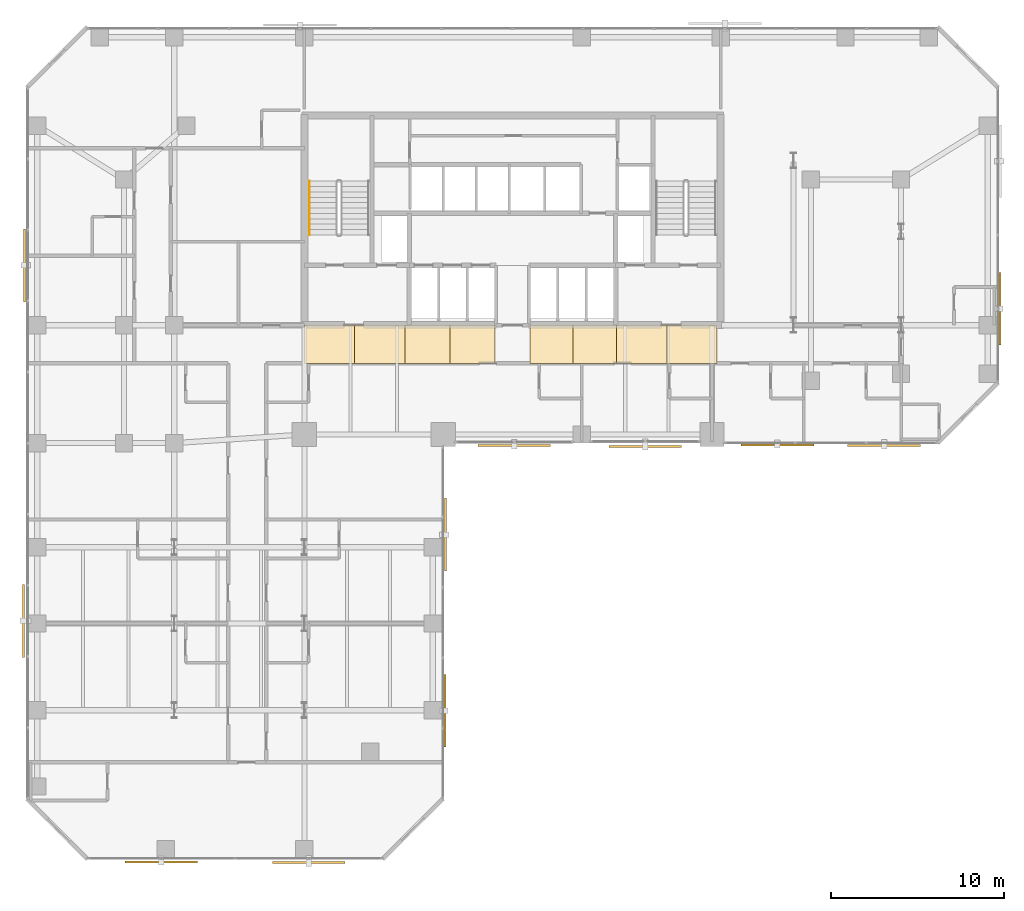
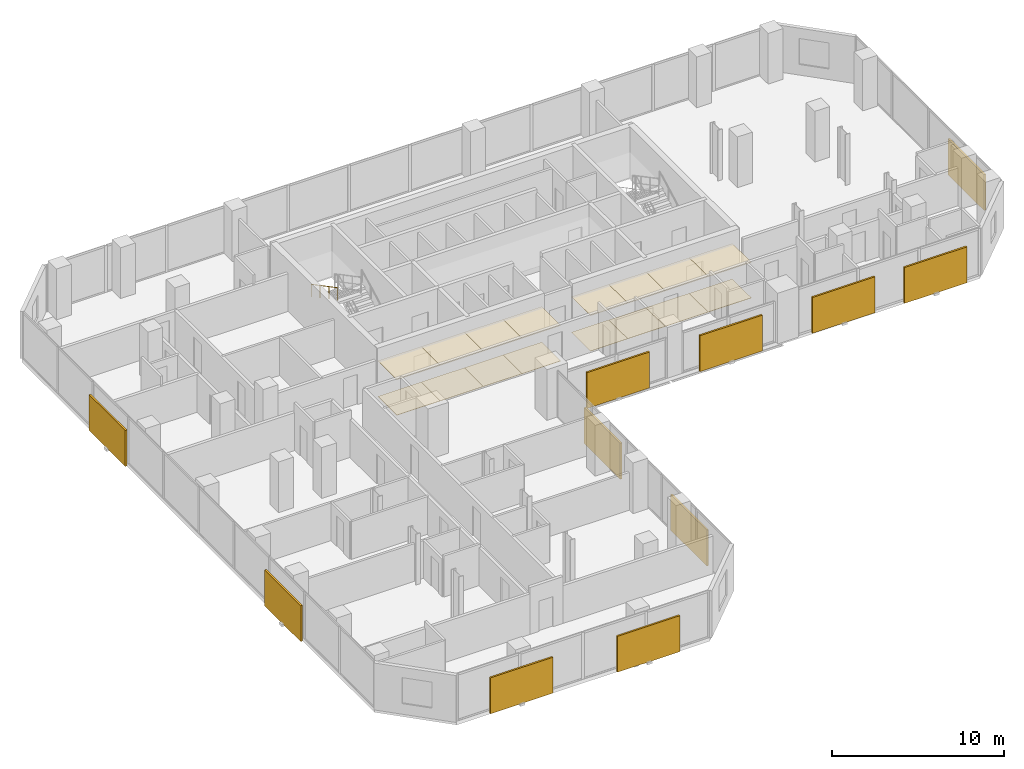
# One storey, part 31 of 32: 16 coverings, 11 shading devices, 1 railing.
"""IFC4 building model written with IfcOpenShell, lengths in metres."""

from ifc_helpers import new_model, si_unit, direction, frame, origin, origin_2d, place, context, subcontext, project, spatial, polyline, rectangle, circle, outline, extrude, material, layer, layer_set, type_object, element, save


model = new_model("IFC4")

# Units and contexts
model_context = context("Model", 3, precision=1e-05, world=origin(), true_north=direction((0.0, 1.0)))
body_context = subcontext(model_context, "Body", "Model", "MODEL_VIEW")
ifc_project = project(units=[si_unit("LENGTHUNIT", "METRE"), si_unit("AREAUNIT", "SQUARE_METRE"), si_unit("VOLUMEUNIT", "CUBIC_METRE"), si_unit("PLANEANGLEUNIT", "RADIAN"), si_unit("MASSUNIT", "GRAM", prefix="KILO")], contexts=[model_context])

# Site, building, storey
site_placement = place(None, origin())
site = spatial("IfcSite", under=ifc_project, at=site_placement, CompositionType="ELEMENT")
building_placement = place(site_placement, origin())
building = spatial("IfcBuilding", under=site, at=building_placement, Name="Catumbela Crestline Tower", CompositionType="ELEMENT")
storey_placement = place(building_placement, frame((0.0, 0.0, 29.4)))
storey = spatial("IfcBuildingStorey", under=building, at=storey_placement, Name="L06", CompositionType="ELEMENT", Elevation=29.4)

# Coverings
ifc_material_1 = material(Name="Mineral-fibre acoustic ceiling")
ifc_layer_1 = layer(ifc_material_1, 0.03, Name="Mineral-fibre acoustic ceiling")
ifc_layer_set_1 = layer_set([ifc_layer_1], Name="Mineral-fibre acoustic ceiling")
covering_type_1 = type_object("IfcCoveringType", Name="CC-AC", PredefinedType="CEILING", material=ifc_layer_set_1)
covering_1_placement = place(storey_placement, frame((0.0, 0.0, 2.52)))
element("IfcCovering", 1, at=covering_1_placement, inside=storey, type_object=covering_type_1, Name="L06 Corridor Acoustic Ceiling Bay 1", PredefinedType="CEILING", context=body_context, shape_type="SweptSolid", body=[
    extrude(outline(polyline([(16.0, 28.6), (18.9, 28.6), (18.9, 30.8), (16.0, 30.8), (16.0, 28.6)])), origin(), (0.0, 0.0, 1.0), 0.03),
])
covering_2_placement = place(storey_placement, frame((0.0, 0.0, 2.52)))
element("IfcCovering", 2, at=covering_2_placement, inside=storey, type_object=covering_type_1, Name="L06 Corridor Acoustic Ceiling Bay 2", PredefinedType="CEILING", context=body_context, shape_type="SweptSolid", body=[
    extrude(outline(polyline([(18.9, 28.6), (21.8, 28.6), (21.8, 30.8), (18.9, 30.8), (18.9, 28.6)])), origin(), (0.0, 0.0, 1.0), 0.03),
])
covering_3_placement = place(storey_placement, frame((0.0, 0.0, 2.52)))
element("IfcCovering", 3, at=covering_3_placement, inside=storey, type_object=covering_type_1, Name="L06 Corridor Acoustic Ceiling Bay 3", PredefinedType="CEILING", context=body_context, shape_type="SweptSolid", body=[
    extrude(outline(polyline([(21.8, 28.6), (24.4, 28.6), (24.4, 30.8), (21.8, 30.8), (21.8, 28.6)])), origin(), (0.0, 0.0, 1.0), 0.03),
])
covering_4_placement = place(storey_placement, frame((0.0, 0.0, 2.52)))
element("IfcCovering", 4, at=covering_4_placement, inside=storey, type_object=covering_type_1, Name="L06 Corridor Acoustic Ceiling Bay 4", PredefinedType="CEILING", context=body_context, shape_type="SweptSolid", body=[
    extrude(outline(polyline([(24.4, 28.6), (27.0, 28.6), (27.0, 30.8), (24.4, 30.8), (24.4, 28.6)])), origin(), (0.0, 0.0, 1.0), 0.03),
])
covering_5_placement = place(storey_placement, frame((0.0, 0.0, 2.52)))
element("IfcCovering", 5, at=covering_5_placement, inside=storey, type_object=covering_type_1, Name="L06 Corridor Acoustic Ceiling Bay 5", PredefinedType="CEILING", context=body_context, shape_type="SweptSolid", body=[
    extrude(outline(polyline([(29.0, 28.6), (31.5, 28.6), (31.5, 30.8), (29.0, 30.8), (29.0, 28.6)])), origin(), (0.0, 0.0, 1.0), 0.03),
])
covering_6_placement = place(storey_placement, frame((0.0, 0.0, 2.52)))
element("IfcCovering", 6, at=covering_6_placement, inside=storey, type_object=covering_type_1, Name="L06 Corridor Acoustic Ceiling Bay 6", PredefinedType="CEILING", context=body_context, shape_type="SweptSolid", body=[
    extrude(outline(polyline([(31.5, 28.6), (34.0, 28.6), (34.0, 30.8), (31.5, 30.8), (31.5, 28.6)])), origin(), (0.0, 0.0, 1.0), 0.03),
])
covering_7_placement = place(storey_placement, frame((0.0, 0.0, 2.52)))
element("IfcCovering", 7, at=covering_7_placement, inside=storey, type_object=covering_type_1, Name="L06 Corridor Acoustic Ceiling Bay 7", PredefinedType="CEILING", context=body_context, shape_type="SweptSolid", body=[
    extrude(outline(polyline([(34.0, 28.6), (36.9, 28.6), (36.9, 30.8), (34.0, 30.8), (34.0, 28.6)])), origin(), (0.0, 0.0, 1.0), 0.03),
])
covering_8_placement = place(storey_placement, frame((0.0, 0.0, 2.52)))
element("IfcCovering", 8, at=covering_8_placement, inside=storey, type_object=covering_type_1, Name="L06 Corridor Acoustic Ceiling Bay 8", PredefinedType="CEILING", context=body_context, shape_type="SweptSolid", body=[
    extrude(outline(polyline([(36.9, 28.6), (39.8, 28.6), (39.8, 30.8), (36.9, 30.8), (36.9, 28.6)])), origin(), (0.0, 0.0, 1.0), 0.03),
])
ifc_material_2 = material(Name="Angolan grey-ochre granite", Category="masonry")
ifc_layer_2 = layer(ifc_material_2, 0.025, Name="Angolan grey-ochre granite")
ifc_layer_set_2 = layer_set([ifc_layer_2], Name="Angolan grey-ochre granite")
covering_type_2 = type_object("IfcCoveringType", Name="CF-GR", PredefinedType="FLOORING", material=ifc_layer_set_2)
covering_9_placement = place(storey_placement, origin())
element("IfcCovering", 9, at=covering_9_placement, inside=storey, type_object=covering_type_2, Name="L06 Corridor Granite Flooring Bay 1", PredefinedType="FLOORING", context=body_context, shape_type="SweptSolid", body=[
    extrude(outline(polyline([(16.0, 28.6), (18.9, 28.6), (18.9, 30.8), (16.0, 30.8), (16.0, 28.6)])), origin(), (0.0, 0.0, 1.0), 0.025),
])
covering_10_placement = place(storey_placement, origin())
element("IfcCovering", 10, at=covering_10_placement, inside=storey, type_object=covering_type_2, Name="L06 Corridor Granite Flooring Bay 2", PredefinedType="FLOORING", context=body_context, shape_type="SweptSolid", body=[
    extrude(outline(polyline([(18.9, 28.6), (21.8, 28.6), (21.8, 30.8), (18.9, 30.8), (18.9, 28.6)])), origin(), (0.0, 0.0, 1.0), 0.025),
])
covering_11_placement = place(storey_placement, origin())
element("IfcCovering", 11, at=covering_11_placement, inside=storey, type_object=covering_type_2, Name="L06 Corridor Granite Flooring Bay 3", PredefinedType="FLOORING", context=body_context, shape_type="SweptSolid", body=[
    extrude(outline(polyline([(21.8, 28.6), (24.4, 28.6), (24.4, 30.8), (21.8, 30.8), (21.8, 28.6)])), origin(), (0.0, 0.0, 1.0), 0.025),
])
covering_12_placement = place(storey_placement, origin())
element("IfcCovering", 12, at=covering_12_placement, inside=storey, type_object=covering_type_2, Name="L06 Corridor Granite Flooring Bay 4", PredefinedType="FLOORING", context=body_context, shape_type="SweptSolid", body=[
    extrude(outline(polyline([(24.4, 28.6), (27.0, 28.6), (27.0, 30.8), (24.4, 30.8), (24.4, 28.6)])), origin(), (0.0, 0.0, 1.0), 0.025),
])
covering_13_placement = place(storey_placement, origin())
element("IfcCovering", 13, at=covering_13_placement, inside=storey, type_object=covering_type_2, Name="L06 Corridor Granite Flooring Bay 5", PredefinedType="FLOORING", context=body_context, shape_type="SweptSolid", body=[
    extrude(outline(polyline([(29.0, 28.6), (31.5, 28.6), (31.5, 30.8), (29.0, 30.8), (29.0, 28.6)])), origin(), (0.0, 0.0, 1.0), 0.025),
])
covering_14_placement = place(storey_placement, origin())
element("IfcCovering", 14, at=covering_14_placement, inside=storey, type_object=covering_type_2, Name="L06 Corridor Granite Flooring Bay 6", PredefinedType="FLOORING", context=body_context, shape_type="SweptSolid", body=[
    extrude(outline(polyline([(31.5, 28.6), (34.0, 28.6), (34.0, 30.8), (31.5, 30.8), (31.5, 28.6)])), origin(), (0.0, 0.0, 1.0), 0.025),
])
covering_15_placement = place(storey_placement, origin())
element("IfcCovering", 15, at=covering_15_placement, inside=storey, type_object=covering_type_2, Name="L06 Corridor Granite Flooring Bay 7", PredefinedType="FLOORING", context=body_context, shape_type="SweptSolid", body=[
    extrude(outline(polyline([(34.0, 28.6), (36.9, 28.6), (36.9, 30.8), (34.0, 30.8), (34.0, 28.6)])), origin(), (0.0, 0.0, 1.0), 0.025),
])
covering_16_placement = place(storey_placement, origin())
element("IfcCovering", 16, at=covering_16_placement, inside=storey, type_object=covering_type_2, Name="L06 Corridor Granite Flooring Bay 8", PredefinedType="FLOORING", context=body_context, shape_type="SweptSolid", body=[
    extrude(outline(polyline([(36.9, 28.6), (39.8, 28.6), (39.8, 30.8), (36.9, 30.8), (36.9, 28.6)])), origin(), (0.0, 0.0, 1.0), 0.025),
])

# Railing
ifc_material_3 = material(Name="Stainless steel EN 1.4401", Category="steel")
railing_type = type_object("IfcRailingType", Name="RH-0900", PredefinedType="HANDRAIL", material=ifc_material_3)
railing_placement = place(storey_placement, frame((16.3, 39.1, 1.9636)))
element("IfcRailing", 17, at=railing_placement, inside=storey, type_object=railing_type, Name="L06 ST-01 stair handrail 2", PredefinedType="HANDRAIL", context=body_context, shape_type="SweptSolid", body=[
    extrude(circle(Radius=0.024, at=origin_2d()), frame((0.0, 0.0, 0.876), z_axis=(0.0, -0.884350731049, 0.466823076222), x_axis=(1.0, 0.0, 0.0)), (0.0, 0.0, 1.0), 3.5054),
    extrude(circle(Radius=0.021, at=origin_2d()), origin(), (0.0, 0.0, 1.0), 0.852),
    extrude(circle(Radius=0.021, at=origin_2d()), frame((0.0, -1.0333, 0.5455)), (0.0, 0.0, 1.0), 0.852),
    extrude(circle(Radius=0.021, at=origin_2d()), frame((0.0, -2.0667, 1.0909)), (0.0, 0.0, 1.0), 0.852),
    extrude(circle(Radius=0.021, at=origin_2d()), frame((0.0, -3.1, 1.6364)), (0.0, 0.0, 1.0), 0.852),
])

# Shading devices
ifc_material_4 = material(Name="Extruded terracotta ceramic", Category="masonry")
shading_device_type_1 = type_object("IfcShadingDeviceType", Name="ST-180", PredefinedType="USERDEFINED", material=ifc_material_4)
for number, where, z_axis, x_axis, name in (
    (18, (24.099, 8.575, -0.1), (0.0, 0.0, 1.0), (0.0, 1.0, 0.0), "L06 Perforated Terracotta Solar Screen 17 (180 mm)"),
    (19, (43.275, 23.901, -0.1), (0.0, 0.0, 1.0), (1.0, 0.0, 0.0), "L06 Perforated Terracotta Solar Screen 21 (180 mm)"),
    (20, (56.099, 31.75, -0.1), (0.0, 0.0, 1.0), (0.0, 1.0, 0.0), "L06 Perforated Terracotta Solar Screen 23 (180 mm)"),
):
    element("IfcShadingDevice", number, at=place(storey_placement, frame(where, z_axis=z_axis, x_axis=x_axis)), inside=storey, type_object=shading_device_type_1, Name=name, ObjectType="SCREEN", PredefinedType="USERDEFINED", context=body_context, shape_type="SweptSolid", body=[
        extrude(rectangle(XDim=4.2, YDim=0.12, at=origin_2d()), origin(), (0.0, 0.0, 1.0), 2.55),
    ])
shading_device_type_2 = type_object("IfcShadingDeviceType", Name="ST-260", PredefinedType="USERDEFINED", material=ifc_material_4)
for number, where, z_axis, x_axis, name in (
    (21, (7.75, -0.143, -0.1), (0.0, 0.0, 1.0), (1.0, 0.0, 0.0), "L06 Perforated Terracotta Solar Screen 15 (260 mm)"),
    (22, (24.143, 18.725, -0.1), (0.0, 0.0, 1.0), (0.0, 1.0, 0.0), "L06 Perforated Terracotta Solar Screen 18 (260 mm)"),
    (23, (28.1, 23.857, -0.1), (0.0, 0.0, 1.0), (1.0, 0.0, 0.0), "L06 Perforated Terracotta Solar Screen 19 (260 mm)"),
    (24, (49.425, 23.857, -0.1), (0.0, 0.0, 1.0), (1.0, 0.0, 0.0), "L06 Perforated Terracotta Solar Screen 22 (260 mm)"),
    (25, (-0.143, 34.25, -0.1), (0.0, 0.0, 1.0), (0.0, -1.0, 0.0), "L06 Perforated Terracotta Solar Screen 27 (260 mm)"),
):
    element("IfcShadingDevice", number, at=place(storey_placement, frame(where, z_axis=z_axis, x_axis=x_axis)), inside=storey, type_object=shading_device_type_2, Name=name, ObjectType="SCREEN", PredefinedType="USERDEFINED", context=body_context, shape_type="SweptSolid", body=[
        extrude(rectangle(XDim=4.2, YDim=0.12, at=origin_2d()), origin(), (0.0, 0.0, 1.0), 2.55),
    ])
shading_device_type_3 = type_object("IfcShadingDeviceType", Name="ST-340", PredefinedType="USERDEFINED", material=ifc_material_4)
for number, where, z_axis, x_axis, name in (
    (26, (16.25, -0.187, -0.1), (0.0, 0.0, 1.0), (1.0, 0.0, 0.0), "L06 Perforated Terracotta Solar Screen 16 (340 mm)"),
    (27, (35.65, 23.813, -0.1), (0.0, 0.0, 1.0), (1.0, 0.0, 0.0), "L06 Perforated Terracotta Solar Screen 20 (340 mm)"),
    (28, (-0.187, 13.75, -0.1), (0.0, 0.0, 1.0), (0.0, -1.0, 0.0), "L06 Perforated Terracotta Solar Screen 28 (340 mm)"),
):
    element("IfcShadingDevice", number, at=place(storey_placement, frame(where, z_axis=z_axis, x_axis=x_axis)), inside=storey, type_object=shading_device_type_3, Name=name, ObjectType="SCREEN", PredefinedType="USERDEFINED", context=body_context, shape_type="SweptSolid", body=[
        extrude(rectangle(XDim=4.2, YDim=0.12, at=origin_2d()), origin(), (0.0, 0.0, 1.0), 2.55),
    ])

save(model, "model.ifc")
